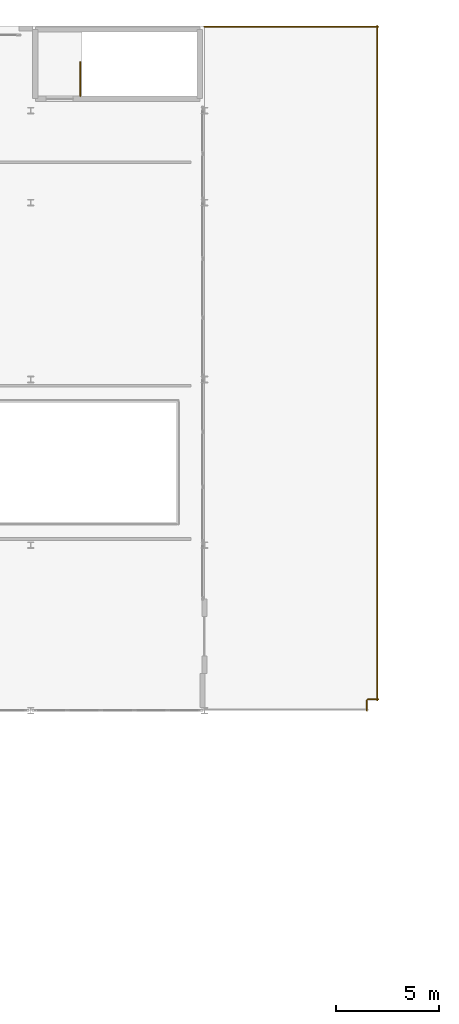
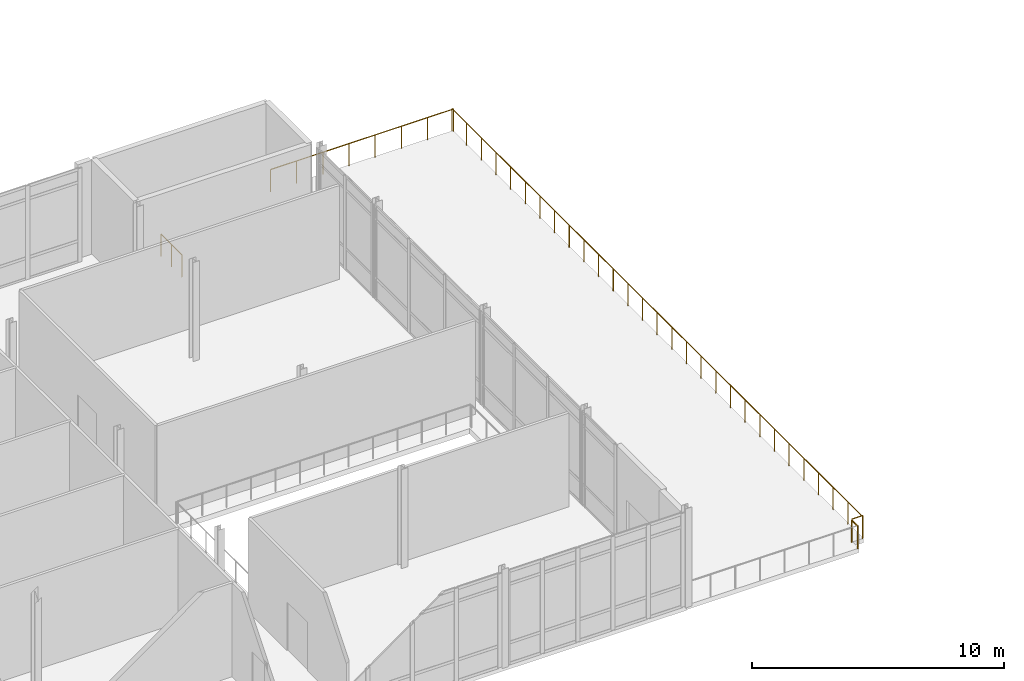
# One storey, part 149 of 154: 5 railings.
"""IFC4 building model written with IfcOpenShell, lengths in metres."""

from ifc_helpers import new_model, si_unit, direction, frame, origin, origin_2d, place, context, subcontext, project, spatial, circle, extrude, material, type_object, element, save


model = new_model("IFC4")

# Units and contexts
model_context = context("Model", 3, precision=1e-05, world=origin(), true_north=direction((0.0, 1.0)))
body_context = subcontext(model_context, "Body", "Model", "MODEL_VIEW")
ifc_project = project(units=[si_unit("LENGTHUNIT", "METRE"), si_unit("AREAUNIT", "SQUARE_METRE"), si_unit("VOLUMEUNIT", "CUBIC_METRE"), si_unit("PLANEANGLEUNIT", "RADIAN"), si_unit("MASSUNIT", "GRAM", prefix="KILO")], contexts=[model_context])

# Site, building, storey
site_placement = place(None, origin())
site = spatial("IfcSite", under=ifc_project, at=site_placement, CompositionType="ELEMENT")
building_placement = place(site_placement, origin())
building = spatial("IfcBuilding", under=site, at=building_placement, Name="Kazehara Bluff Congress Hotel", CompositionType="ELEMENT")
storey_placement = place(building_placement, frame((0.0, 0.0, 10.199951171875)))
storey = spatial("IfcBuildingStorey", under=building, at=storey_placement, Name="L02", CompositionType="ELEMENT", Elevation=10.199951171875)

# Railings
ifc_material_1 = material(Name="Painted galvanised steel", Category="steel")
railing_type_1 = type_object("IfcRailingType", Name="TP-GRD-EXT", PredefinedType="BALUSTRADE", material=ifc_material_1)
railing_1_placement = place(storey_placement, frame((100.699951171875, 80.89990234375, 0.0)))
element("IfcRailing", 1, at=railing_1_placement, inside=storey, type_object=railing_type_1, Name="Spa Bluff Sun Terrace edge guard 2", PredefinedType="BALUSTRADE", context=body_context, shape_type="SweptSolid", body=[
    extrude(circle(Radius=0.02392578125, at=origin_2d()), frame((0.0, 0.0, 1.076171875), z_axis=(0.0, 1.0, 0.0), x_axis=(-1.0, 0.0, 0.0)), (0.0, 0.0, 1.0), 0.5),
    extrude(circle(Radius=0.02099609375, at=origin_2d()), origin(), (0.0, 0.0, 1.0), 1.052001953125),
    extrude(circle(Radius=0.02099609375, at=origin_2d()), frame((0.0, 0.5, 0.0)), (0.0, 0.0, 1.0), 1.052001953125),
])
railing_2_placement = place(storey_placement, frame((100.75, 81.449951171875, 0.0)))
element("IfcRailing", 2, at=railing_2_placement, inside=storey, type_object=railing_type_1, Name="Spa Bluff Sun Terrace edge guard 3", PredefinedType="BALUSTRADE", context=body_context, shape_type="SweptSolid", body=[
    extrude(circle(Radius=0.02392578125, at=origin_2d()), frame((0.0, 0.0, 1.076171875), z_axis=(1.0, 0.0, 0.0), x_axis=(0.0, 1.0, 0.0)), (0.0, 0.0, 1.0), 0.5),
    extrude(circle(Radius=0.02099609375, at=origin_2d()), origin(), (0.0, 0.0, 1.0), 1.052001953125),
    extrude(circle(Radius=0.02099609375, at=origin_2d()), frame((0.5, 0.0, 0.0)), (0.0, 0.0, 1.0), 1.052001953125),
])
railing_3_placement = place(storey_placement, frame((101.199951171875, 81.39990234375, 0.0)))
element("IfcRailing", 3, at=railing_3_placement, inside=storey, type_object=railing_type_1, Name="Spa Bluff Sun Terrace edge guard 4", PredefinedType="BALUSTRADE", context=body_context, shape_type="SweptSolid", body=[
    extrude(circle(Radius=0.02392578125, at=origin_2d()), frame((0.0, 0.0, 1.076171875), z_axis=(0.0, 1.0, 0.0), x_axis=(-1.0, 0.0, 0.0)), (0.0, 0.0, 1.0), 32.60009765625),
    extrude(circle(Radius=0.02099609375, at=origin_2d()), origin(), (0.0, 0.0, 1.0), 1.052001953125),
    extrude(circle(Radius=0.02099609375, at=origin_2d()), frame((0.0, 1.164306640625, 0.0)), (0.0, 0.0, 1.0), 1.052001953125),
    extrude(circle(Radius=0.02099609375, at=origin_2d()), frame((0.0, 2.32861328125, 0.0)), (0.0, 0.0, 1.0), 1.052001953125),
    extrude(circle(Radius=0.02099609375, at=origin_2d()), frame((0.0, 3.492919921875, 0.0)), (0.0, 0.0, 1.0), 1.052001953125),
    extrude(circle(Radius=0.02099609375, at=origin_2d()), frame((0.0, 4.6572265625, 0.0)), (0.0, 0.0, 1.0), 1.052001953125),
    extrude(circle(Radius=0.02099609375, at=origin_2d()), frame((0.0, 5.821533203125, 0.0)), (0.0, 0.0, 1.0), 1.052001953125),
    extrude(circle(Radius=0.02099609375, at=origin_2d()), frame((0.0, 6.98583984375, 0.0)), (0.0, 0.0, 1.0), 1.052001953125),
    extrude(circle(Radius=0.02099609375, at=origin_2d()), frame((0.0, 8.14990234375, 0.0)), (0.0, 0.0, 1.0), 1.052001953125),
    extrude(circle(Radius=0.02099609375, at=origin_2d()), frame((0.0, 9.314208984375, 0.0)), (0.0, 0.0, 1.0), 1.052001953125),
    extrude(circle(Radius=0.02099609375, at=origin_2d()), frame((0.0, 10.478515625, 0.0)), (0.0, 0.0, 1.0), 1.052001953125),
    extrude(circle(Radius=0.02099609375, at=origin_2d()), frame((0.0, 11.642822265625, 0.0)), (0.0, 0.0, 1.0), 1.052001953125),
    extrude(circle(Radius=0.02099609375, at=origin_2d()), frame((0.0, 12.80712890625, 0.0)), (0.0, 0.0, 1.0), 1.052001953125),
    extrude(circle(Radius=0.02099609375, at=origin_2d()), frame((0.0, 13.971435546875, 0.0)), (0.0, 0.0, 1.0), 1.052001953125),
    extrude(circle(Radius=0.02099609375, at=origin_2d()), frame((0.0, 15.1357421875, 0.0)), (0.0, 0.0, 1.0), 1.052001953125),
    extrude(circle(Radius=0.02099609375, at=origin_2d()), frame((0.0, 16.300048828125, 0.0)), (0.0, 0.0, 1.0), 1.052001953125),
    extrude(circle(Radius=0.02099609375, at=origin_2d()), frame((0.0, 17.46435546875, 0.0)), (0.0, 0.0, 1.0), 1.052001953125),
    extrude(circle(Radius=0.02099609375, at=origin_2d()), frame((0.0, 18.628662109375, 0.0)), (0.0, 0.0, 1.0), 1.052001953125),
    extrude(circle(Radius=0.02099609375, at=origin_2d()), frame((0.0, 19.79296875, 0.0)), (0.0, 0.0, 1.0), 1.052001953125),
    extrude(circle(Radius=0.02099609375, at=origin_2d()), frame((0.0, 20.957275390625, 0.0)), (0.0, 0.0, 1.0), 1.052001953125),
    extrude(circle(Radius=0.02099609375, at=origin_2d()), frame((0.0, 22.12158203125, 0.0)), (0.0, 0.0, 1.0), 1.052001953125),
    extrude(circle(Radius=0.02099609375, at=origin_2d()), frame((0.0, 23.285888671875, 0.0)), (0.0, 0.0, 1.0), 1.052001953125),
    extrude(circle(Radius=0.02099609375, at=origin_2d()), frame((0.0, 24.4501953125, 0.0)), (0.0, 0.0, 1.0), 1.052001953125),
    extrude(circle(Radius=0.02099609375, at=origin_2d()), frame((0.0, 25.6142578125, 0.0)), (0.0, 0.0, 1.0), 1.052001953125),
    extrude(circle(Radius=0.02099609375, at=origin_2d()), frame((0.0, 26.778564453125, 0.0)), (0.0, 0.0, 1.0), 1.052001953125),
    extrude(circle(Radius=0.02099609375, at=origin_2d()), frame((0.0, 27.94287109375, 0.0)), (0.0, 0.0, 1.0), 1.052001953125),
    extrude(circle(Radius=0.02099609375, at=origin_2d()), frame((0.0, 29.107177734375, 0.0)), (0.0, 0.0, 1.0), 1.052001953125),
    extrude(circle(Radius=0.02099609375, at=origin_2d()), frame((0.0, 30.271484375, 0.0)), (0.0, 0.0, 1.0), 1.052001953125),
    extrude(circle(Radius=0.02099609375, at=origin_2d()), frame((0.0, 31.435791015625, 0.0)), (0.0, 0.0, 1.0), 1.052001953125),
    extrude(circle(Radius=0.02099609375, at=origin_2d()), frame((0.0, 32.60009765625, 0.0)), (0.0, 0.0, 1.0), 1.052001953125),
])
railing_4_placement = place(storey_placement, frame((101.25, 113.949951171875, 0.0)))
element("IfcRailing", 4, at=railing_4_placement, inside=storey, type_object=railing_type_1, Name="Spa Bluff Sun Terrace edge guard 5", PredefinedType="BALUSTRADE", context=body_context, shape_type="SweptSolid", body=[
    extrude(circle(Radius=0.02392578125, at=origin_2d()), frame((0.0, 0.0, 1.076171875), z_axis=(-1.0, 0.0, 0.0), x_axis=(0.0, -1.0, 0.0)), (0.0, 0.0, 1.0), 8.39990234375),
    extrude(circle(Radius=0.02099609375, at=origin_2d()), origin(), (0.0, 0.0, 1.0), 1.052001953125),
    extrude(circle(Radius=0.02099609375, at=origin_2d()), frame((-1.199951171875, 0.0, 0.0)), (0.0, 0.0, 1.0), 1.052001953125),
    extrude(circle(Radius=0.02099609375, at=origin_2d()), frame((-2.39990234375, 0.0, 0.0)), (0.0, 0.0, 1.0), 1.052001953125),
    extrude(circle(Radius=0.02099609375, at=origin_2d()), frame((-3.599853515625, 0.0, 0.0)), (0.0, 0.0, 1.0), 1.052001953125),
    extrude(circle(Radius=0.02099609375, at=origin_2d()), frame((-4.800048828125, 0.0, 0.0)), (0.0, 0.0, 1.0), 1.052001953125),
    extrude(circle(Radius=0.02099609375, at=origin_2d()), frame((-6.0, 0.0, 0.0)), (0.0, 0.0, 1.0), 1.052001953125),
    extrude(circle(Radius=0.02099609375, at=origin_2d()), frame((-7.199951171875, 0.0, 0.0)), (0.0, 0.0, 1.0), 1.052001953125),
    extrude(circle(Radius=0.02099609375, at=origin_2d()), frame((-8.39990234375, 0.0, 0.0)), (0.0, 0.0, 1.0), 1.052001953125),
])
ifc_material_2 = material(Name="Brushed stainless steel", Category="steel")
railing_type_2 = type_object("IfcRailingType", Name="TP-GRD-INT", PredefinedType="GUARDRAIL", material=ifc_material_2)
railing_5_placement = place(storey_placement, frame((86.85009765625, 110.60009765625, 0.0)))
element("IfcRailing", 5, at=railing_5_placement, inside=storey, type_object=railing_type_2, Name="L02 ST-07 top well guard 1", PredefinedType="GUARDRAIL", context=body_context, shape_type="SweptSolid", body=[
    extrude(circle(Radius=0.02392578125, at=origin_2d()), frame((0.0, 0.0, 1.076171875), z_axis=(0.0, 1.0, 0.0), x_axis=(-1.0, 0.0, 0.0)), (0.0, 0.0, 1.0), 1.64990234375),
    extrude(circle(Radius=0.02099609375, at=origin_2d()), origin(), (0.0, 0.0, 1.0), 1.052001953125),
    extrude(circle(Radius=0.02099609375, at=origin_2d()), frame((0.0, 0.824951171875, 0.0)), (0.0, 0.0, 1.0), 1.052001953125),
    extrude(circle(Radius=0.02099609375, at=origin_2d()), frame((0.0, 1.64990234375, 0.0)), (0.0, 0.0, 1.0), 1.052001953125),
])

save(model, "model.ifc")
